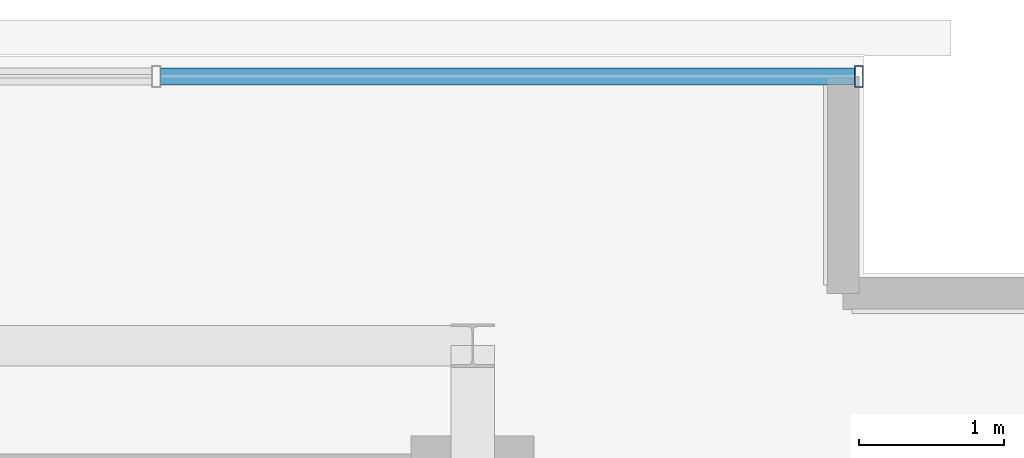
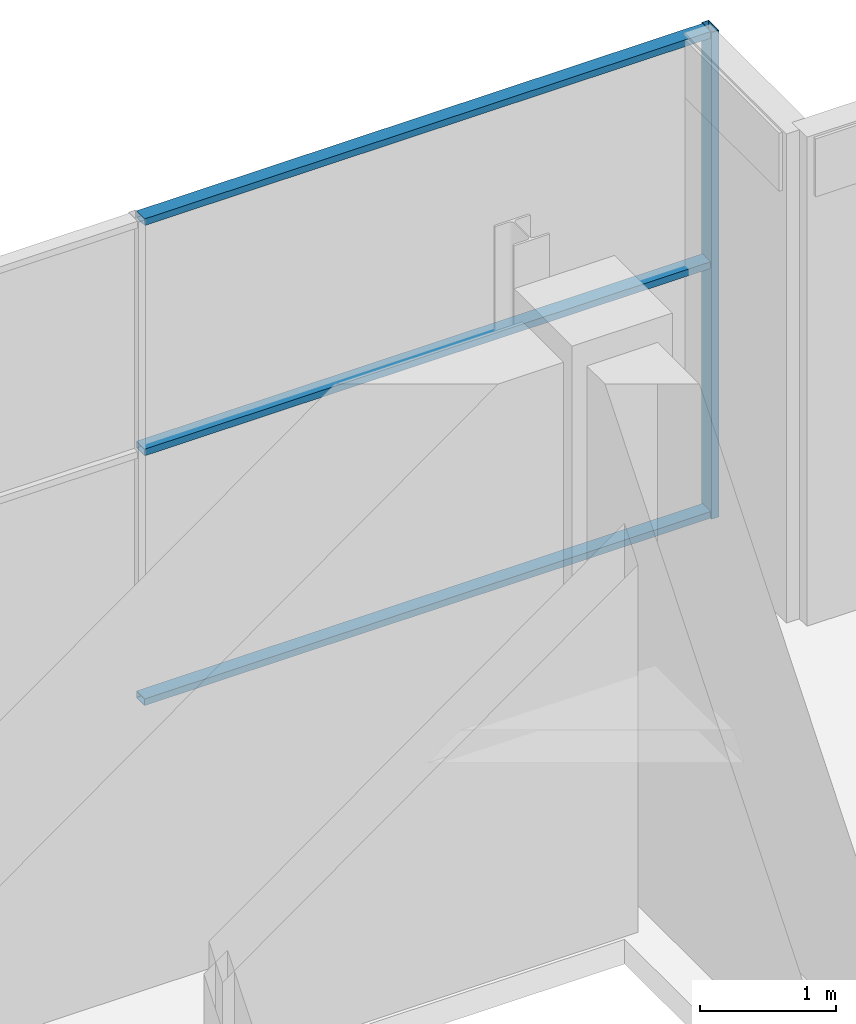
# One storey, part 22 of 28: 4 members, 1 element without a shape of its own.
"""IFC4 building model written with IfcOpenShell, lengths in metres."""

from ifc_helpers import new_model, si_unit, direction, frame, origin, origin_2d, place, context, subcontext, project, spatial, hollow_rectangle, extrude, source, transform, mapped, material, layer, layer_set, material_profile, profile_set, type_object, element, aggregate, save


model = new_model("IFC4")

# Units and contexts
model_context = context("Model", 3, precision=1e-05, world=origin(), true_north=direction((0.0, 1.0)))
body_context = subcontext(model_context, "Body", "Model", "MODEL_VIEW")
ifc_project = project(units=[si_unit("LENGTHUNIT", "METRE"), si_unit("AREAUNIT", "SQUARE_METRE"), si_unit("VOLUMEUNIT", "CUBIC_METRE"), si_unit("PLANEANGLEUNIT", "RADIAN"), si_unit("MASSUNIT", "GRAM", prefix="KILO")], contexts=[model_context])

# Site, building, storey
site_placement = place(None, origin())
site = spatial("IfcSite", under=ifc_project, at=site_placement, CompositionType="ELEMENT")
building_placement = place(site_placement, origin())
building = spatial("IfcBuilding", under=site, at=building_placement, Name="Zarnakvel Exchange Tower", CompositionType="ELEMENT")
storey_placement = place(building_placement, frame((0.0, 0.0, 276.199951171875)))
storey = spatial("IfcBuildingStorey", under=building, at=storey_placement, Name="Crown L78", CompositionType="ELEMENT", Elevation=276.199951171875)

# Curtain wall, members
ifc_material = material(Name="Architectural Bronze Anodised Aluminium", Category="aluminium")
ifc_layer = layer(ifc_material, 0.14990234375)
ifc_layer_set = layer_set([ifc_layer], Name="Architectural Bronze Anodised Aluminium")
curtain_wall_type = type_object("IfcCurtainWallType", Name="CW-07", PredefinedType="NOTDEFINED", material=ifc_layer_set)
curtain_wall_placement = place(storey_placement, origin())
curtain_wall = element("IfcCurtainWall", 1, at=curtain_wall_placement, inside=storey, type_object=curtain_wall_type, Name="Crown L78 Curtain Wall CW-Crown L78-N (CW-07)", PredefinedType="NOTDEFINED")
ifc_material_profile_1 = material_profile(ifc_material, hollow_rectangle(XDim=0.14990234375, YDim=0.06005859375, WallThickness=0.00390625, at=origin_2d()))
ifc_profile_set_1 = profile_set([ifc_material_profile_1], Name="Architectural Bronze Anodised Aluminium")
member_type_1 = type_object("IfcMemberType", Name="CWM-07", PredefinedType="MULLION", material=ifc_profile_set_1)
shared_shape_1 = source(origin(), body_context, "Body", "SweptSolid", [
    extrude(hollow_rectangle(XDim=0.14990234375, YDim=0.06005859375, WallThickness=0.00390625, at=origin_2d()), origin(), (0.0, 0.0, 1.0), 4.360107421875),
])
member_1_placement = place(storey_placement, frame((17.070068359375, 16.409912109375, 0.0), z_axis=(0.0, 0.0, 1.0), x_axis=(0.0, 1.0, 0.0)))
member_1 = element("IfcMember", 2, at=member_1_placement, type_object=member_type_1, Name="CW-07 mullion 8", PredefinedType="MULLION", context=body_context, shape_type="MappedRepresentation", body=[
    mapped(shared_shape_1, transform((0.0, 0.0, 0.0), x_axis=(1.0, 0.0, 0.0), y_axis=(0.0, 1.0, 0.0), z_axis=(0.0, 0.0, 1.0), scale=1.0)),
])
ifc_material_profile_2 = material_profile(ifc_material, hollow_rectangle(XDim=0.1201171875, YDim=0.06005859375, WallThickness=0.00390625, at=origin_2d()))
ifc_profile_set_2 = profile_set([ifc_material_profile_2], Name="Architectural Bronze Anodised Aluminium")
member_type_2 = type_object("IfcMemberType", Name="CWT-07", PredefinedType="USERDEFINED", material=ifc_profile_set_2)
shared_shape_2 = source(origin(), body_context, "Body", "SweptSolid", [
    extrude(hollow_rectangle(XDim=0.1201171875, YDim=0.06005859375, WallThickness=0.00390625, at=origin_2d()), origin(), (0.0, 0.0, 1.0), 4.795654296875),
])
member_2_placement = place(storey_placement, frame((12.244384765625, 16.409912109375, 0.030029296875), z_axis=(1.0, 0.0, 0.0), x_axis=(0.0, 1.0, 0.0)))
member_2 = element("IfcMember", 3, at=member_2_placement, type_object=member_type_2, Name="CW-07 transom 7.1", ObjectType="TRANSOM", PredefinedType="USERDEFINED", context=body_context, shape_type="MappedRepresentation", body=[
    mapped(shared_shape_2, transform((0.0, 0.0, 0.0), x_axis=(1.0, 0.0, 0.0), y_axis=(0.0, 1.0, 0.0), z_axis=(0.0, 0.0, 1.0), scale=1.0)),
])
member_3_placement = place(storey_placement, frame((12.244384765625, 16.409912109375, 2.267333984375), z_axis=(1.0, 0.0, 0.0), x_axis=(0.0, 1.0, 0.0)))
member_3 = element("IfcMember", 4, at=member_3_placement, type_object=member_type_2, Name="CW-07 transom 7.2", ObjectType="TRANSOM", PredefinedType="USERDEFINED", context=body_context, shape_type="MappedRepresentation", body=[
    mapped(shared_shape_2, transform((0.0, 0.0, 0.0), x_axis=(1.0, 0.0, 0.0), y_axis=(0.0, 1.0, 0.0), z_axis=(0.0, 0.0, 1.0), scale=1.0)),
])
member_4_placement = place(storey_placement, frame((12.244384765625, 16.409912109375, 4.330078125), z_axis=(1.0, 0.0, 0.0), x_axis=(0.0, 1.0, 0.0)))
member_4 = element("IfcMember", 5, at=member_4_placement, type_object=member_type_2, Name="CW-07 transom 7.3", ObjectType="TRANSOM", PredefinedType="USERDEFINED", context=body_context, shape_type="MappedRepresentation", body=[
    mapped(shared_shape_2, transform((0.0, 0.0, 0.0), x_axis=(1.0, 0.0, 0.0), y_axis=(0.0, 1.0, 0.0), z_axis=(0.0, 0.0, 1.0), scale=1.0)),
])
aggregate(curtain_wall, [member_1, member_2, member_3, member_4])

save(model, "model.ifc")
